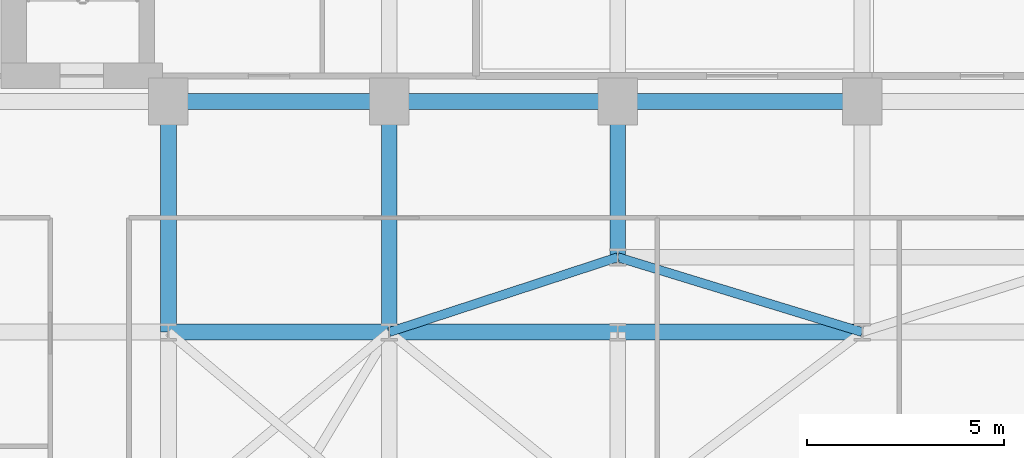
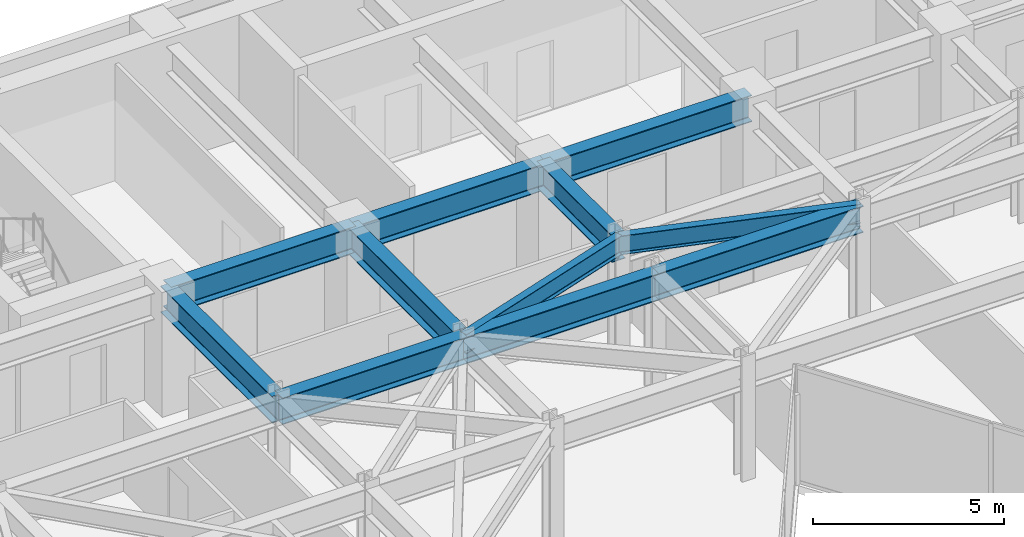
# One storey, part 14 of 26: 11 beams.
"""IFC4 building model written with IfcOpenShell, lengths in metres."""

from ifc_helpers import new_model, si_unit, direction, frame, origin, origin_2d, place, context, subcontext, project, spatial, i_section, extrude, material, material_profile, profile_set, type_object, element, save


model = new_model("IFC4")

# Units and contexts
model_context = context("Model", 3, precision=1e-05, world=origin(), true_north=direction((0.0, 1.0)))
body_context = subcontext(model_context, "Body", "Model", "MODEL_VIEW")
ifc_project = project(units=[si_unit("LENGTHUNIT", "METRE"), si_unit("AREAUNIT", "SQUARE_METRE"), si_unit("VOLUMEUNIT", "CUBIC_METRE"), si_unit("PLANEANGLEUNIT", "RADIAN"), si_unit("MASSUNIT", "GRAM", prefix="KILO")], contexts=[model_context])

# Site, building, storey
site_placement = place(None, origin())
site = spatial("IfcSite", under=ifc_project, at=site_placement, CompositionType="ELEMENT")
building_placement = place(site_placement, origin())
building = spatial("IfcBuilding", under=site, at=building_placement, Name="Kravanh Interchange Tower", CompositionType="ELEMENT")
storey_placement = place(building_placement, frame((0.0, 0.0, 136.0)))
storey = spatial("IfcBuildingStorey", under=building, at=storey_placement, Name="L32", CompositionType="ELEMENT", Elevation=136.0)

# Beams
ifc_material_1 = material(Name="Structural Steel S355", Category="steel")
ifc_material_profile_1 = material_profile(ifc_material_1, i_section(OverallWidth=0.39990234375, OverallDepth=0.85595703125, WebThickness=0.018310546875, FlangeThickness=0.029296875, FilletRadius=0.02490234375, at=origin_2d()), Name="W33X201")
ifc_profile_set_1 = profile_set([ifc_material_profile_1], Name="Structural Steel S355")
beam_type_1 = type_object("IfcBeamType", Name="Floor Beam W33X201 Structural Steel S355", PredefinedType="BEAM", material=ifc_profile_set_1)
beam_1_placement = place(storey_placement, frame((44.800048828125, 37.35009765625, 3.322021484375), z_axis=(-1.0, 0.0, 0.0), x_axis=(0.0, -1.0, 0.0)))
element("IfcBeam", 1, at=beam_1_placement, inside=storey, type_object=beam_type_1, Name="L32 Primary Floor Girder 13", PredefinedType="BEAM", context=body_context, shape_type="SweptSolid", body=[
    extrude(i_section(OverallWidth=0.39990234375, OverallDepth=0.85595703125, WebThickness=0.018310546875, FlangeThickness=0.029296875, FilletRadius=0.02490234375, at=origin_2d()), origin(), (0.0, 0.0, 1.0), 6.199951171875),
])
beam_2_placement = place(storey_placement, frame((38.60009765625, 37.35009765625, 3.322021484375), z_axis=(0.0, -1.0, 0.0), x_axis=(1.0, 0.0, 0.0)))
element("IfcBeam", 2, at=beam_2_placement, inside=storey, type_object=beam_type_1, Name="L32 Primary Floor Girder 16", PredefinedType="BEAM", context=body_context, shape_type="SweptSolid", body=[
    extrude(i_section(OverallWidth=0.39990234375, OverallDepth=0.85595703125, WebThickness=0.018310546875, FlangeThickness=0.029296875, FilletRadius=0.02490234375, at=origin_2d()), origin(), (0.0, 0.0, 1.0), 3.9501953125),
])
beam_3_placement = place(storey_placement, frame((38.60009765625, 37.35009765625, 3.322021484375), z_axis=(-1.0, 0.0, 0.0), x_axis=(0.0, -1.0, 0.0)))
element("IfcBeam", 3, at=beam_3_placement, inside=storey, type_object=beam_type_1, Name="L32 Primary Floor Girder 17", PredefinedType="BEAM", context=body_context, shape_type="SweptSolid", body=[
    extrude(i_section(OverallWidth=0.39990234375, OverallDepth=0.85595703125, WebThickness=0.018310546875, FlangeThickness=0.029296875, FilletRadius=0.02490234375, at=origin_2d()), origin(), (0.0, 0.0, 1.0), 5.800048828125),
])
beam_4_placement = place(storey_placement, frame((32.800048828125, 37.35009765625, 3.322021484375), z_axis=(-1.0, 0.0, 0.0), x_axis=(0.0, -1.0, 0.0)))
element("IfcBeam", 4, at=beam_4_placement, inside=storey, type_object=beam_type_1, Name="L32 Primary Floor Girder 20", PredefinedType="BEAM", context=body_context, shape_type="SweptSolid", body=[
    extrude(i_section(OverallWidth=0.39990234375, OverallDepth=0.85595703125, WebThickness=0.018310546875, FlangeThickness=0.029296875, FilletRadius=0.02490234375, at=origin_2d()), origin(), (0.0, 0.0, 1.0), 5.60009765625),
])
for number, where, z_axis, x_axis, name in (
    (5, (32.800048828125, 37.35009765625, 3.322021484375), (0.0, -1.0, 0.0), (1.0, 0.0, 0.0), "L32 Primary Floor Girder 21"),
    (6, (27.199951171875, 37.35009765625, 3.322021484375), (0.0, -1.0, 0.0), (1.0, 0.0, 0.0), "L32 Primary Floor Girder 24"),
):
    element("IfcBeam", number, at=place(storey_placement, frame(where, z_axis=z_axis, x_axis=x_axis)), inside=storey, type_object=beam_type_1, Name=name, PredefinedType="BEAM", context=body_context, shape_type="SweptSolid", body=[
        extrude(i_section(OverallWidth=0.39990234375, OverallDepth=0.85595703125, WebThickness=0.018310546875, FlangeThickness=0.029296875, FilletRadius=0.02490234375, at=origin_2d()), origin(), (0.0, 0.0, 1.0), 5.85009765625),
    ])
beam_5_placement = place(storey_placement, frame((27.199951171875, 31.5, 3.322021484375), z_axis=(1.0, 0.0, 0.0), x_axis=(0.0, 1.0, 0.0)))
element("IfcBeam", 7, at=beam_5_placement, inside=storey, type_object=beam_type_1, Name="L32 Primary Floor Girder 74", PredefinedType="BEAM", context=body_context, shape_type="SweptSolid", body=[
    extrude(i_section(OverallWidth=0.39990234375, OverallDepth=0.85595703125, WebThickness=0.018310546875, FlangeThickness=0.029296875, FilletRadius=0.02490234375, at=origin_2d()), origin(), (0.0, 0.0, 1.0), 5.60009765625),
])
beam_6_placement = place(storey_placement, frame((32.800048828125, 31.5, 3.322021484375), z_axis=(1.0, 0.0, 0.0), x_axis=(0.0, 1.0, 0.0)))
element("IfcBeam", 8, at=beam_6_placement, inside=storey, type_object=beam_type_1, Name="L32 Primary Floor Girder 78", PredefinedType="BEAM", context=body_context, shape_type="SweptSolid", body=[
    extrude(i_section(OverallWidth=0.39990234375, OverallDepth=0.85595703125, WebThickness=0.018310546875, FlangeThickness=0.029296875, FilletRadius=0.02490234375, at=origin_2d()), origin(), (0.0, 0.0, 1.0), 5.800048828125),
])
beam_7_placement = place(storey_placement, frame((38.60009765625, 31.5, 3.322021484375), z_axis=(1.0, 0.0, 0.0), x_axis=(0.0, 1.0, 0.0)))
element("IfcBeam", 9, at=beam_7_placement, inside=storey, type_object=beam_type_1, Name="L32 Primary Floor Girder 81", PredefinedType="BEAM", context=body_context, shape_type="SweptSolid", body=[
    extrude(i_section(OverallWidth=0.39990234375, OverallDepth=0.85595703125, WebThickness=0.018310546875, FlangeThickness=0.029296875, FilletRadius=0.02490234375, at=origin_2d()), origin(), (0.0, 0.0, 1.0), 6.199951171875),
])
ifc_material_2 = material(Name="Structural Steel S355", Category="steel")
ifc_material_profile_2 = material_profile(ifc_material_2, i_section(OverallWidth=0.22802734375, OverallDepth=0.60791015625, WebThickness=0.01123046875, FlangeThickness=0.017333984375, FilletRadius=0.02197265625, at=origin_2d()), Name="W24X76")
ifc_profile_set_2 = profile_set([ifc_material_profile_2], Name="Structural Steel S355")
beam_type_2 = type_object("IfcBeamType", Name="Floor Spandrel W24X76 Structural Steel S355", PredefinedType="SPANDREL", material=ifc_profile_set_2)
beam_8_placement = place(storey_placement, frame((32.800048828125, 31.5, 3.446044921875), z_axis=(0.950314536578, 0.31129131303, 0.0), x_axis=(-0.31129131303, 0.950314536578, 0.0)))
element("IfcBeam", 10, at=beam_8_placement, inside=storey, type_object=beam_type_2, Name="L32 Perimeter Spandrel 79", PredefinedType="SPANDREL", context=body_context, shape_type="SweptSolid", body=[
    extrude(i_section(OverallWidth=0.22802734375, OverallDepth=0.60791015625, WebThickness=0.01123046875, FlangeThickness=0.017333984375, FilletRadius=0.02197265625, at=origin_2d()), origin(), (0.0, 0.0, 1.0), 6.103271484375),
])
beam_9_placement = place(storey_placement, frame((44.800048828125, 31.5, 3.446044921875), z_axis=(-0.956115397264, 0.292990353279, 0.0), x_axis=(-0.292990353279, -0.956115397264, 0.0)))
element("IfcBeam", 11, at=beam_9_placement, inside=storey, type_object=beam_type_2, Name="L32 Perimeter Spandrel 85", PredefinedType="SPANDREL", context=body_context, shape_type="SweptSolid", body=[
    extrude(i_section(OverallWidth=0.22802734375, OverallDepth=0.60791015625, WebThickness=0.01123046875, FlangeThickness=0.017333984375, FilletRadius=0.02197265625, at=origin_2d()), origin(), (0.0, 0.0, 1.0), 6.484619140625),
])

save(model, "model.ifc")
